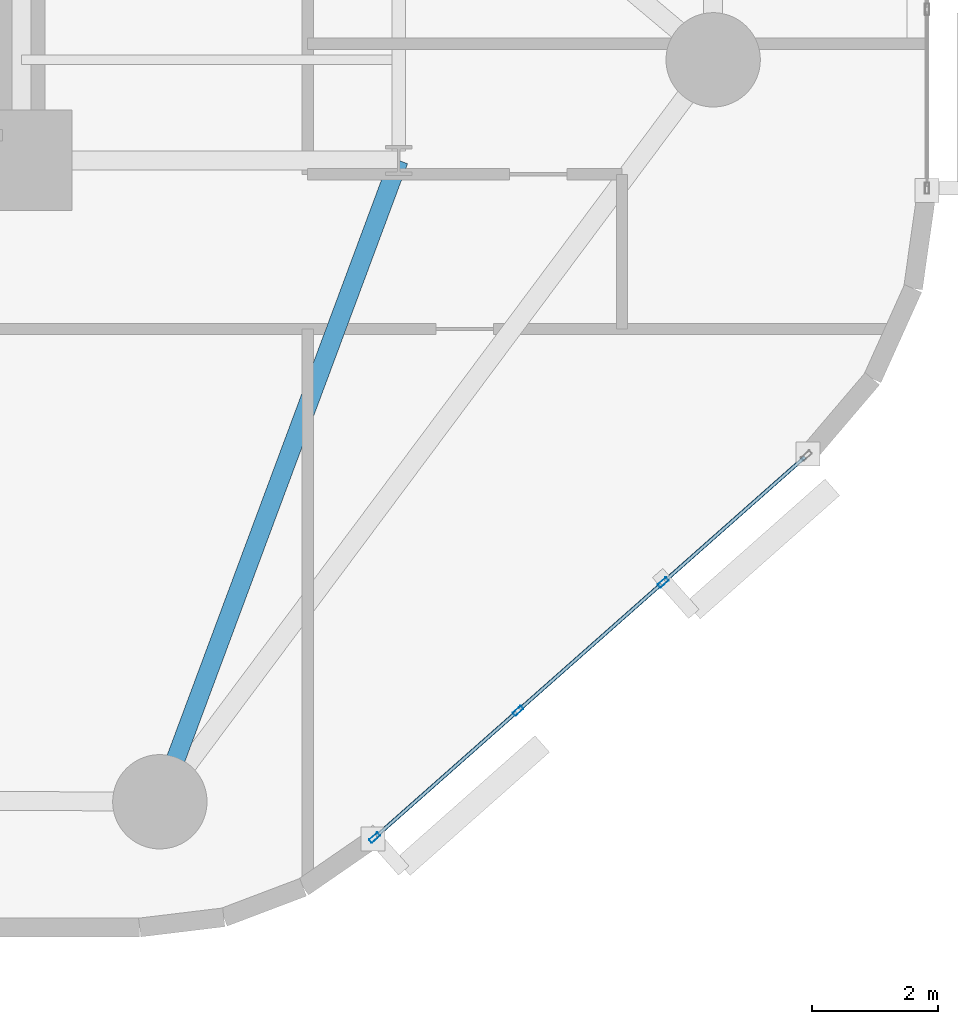
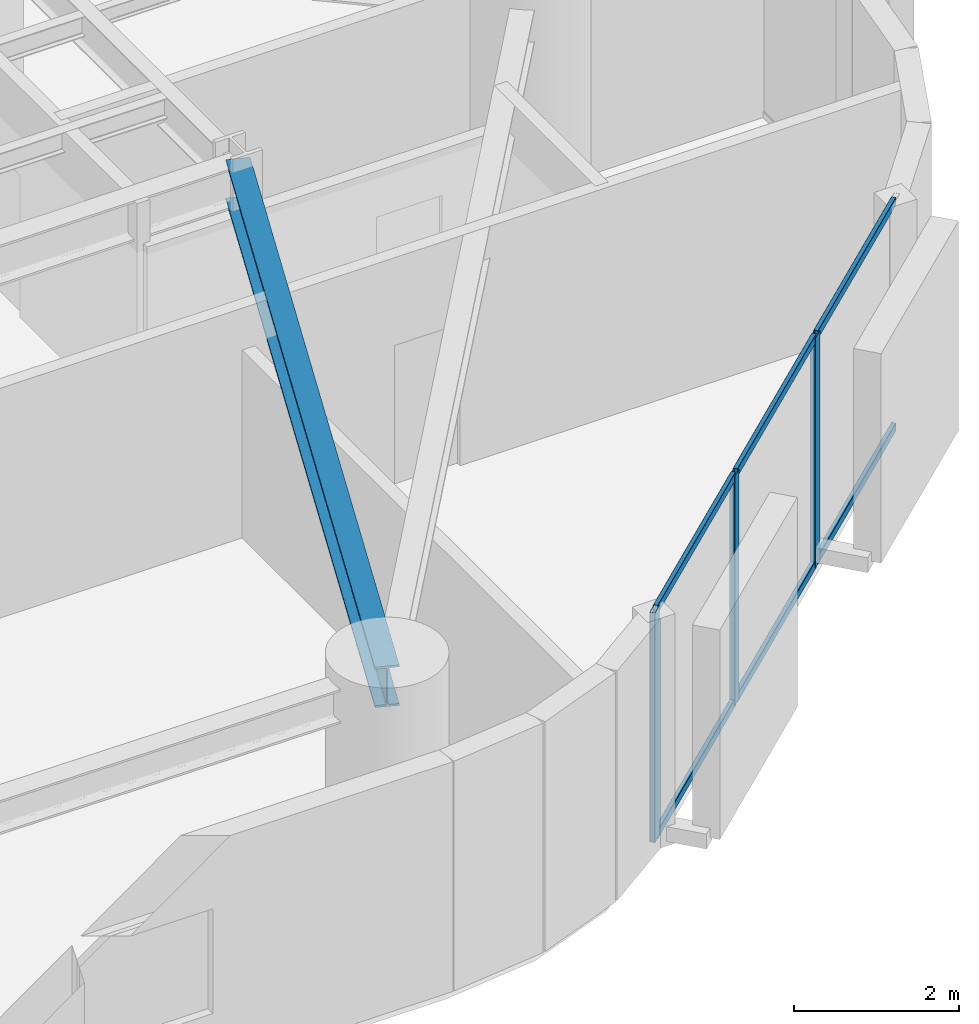
# One storey, part 2 of 16: 9 members, 1 beam, 1 element without a shape of its own.
"""IFC4 building model written with IfcOpenShell, lengths in metres."""

from ifc_helpers import new_model, si_unit, direction, frame, origin, origin_2d, place, context, subcontext, project, spatial, hollow_rectangle, i_section, extrude, material, layer, layer_set, material_profile, profile_set, type_object, element, aggregate, save


model = new_model("IFC4")

# Units and contexts
model_context = context("Model", 3, precision=1e-05, world=origin(), true_north=direction((0.0, 1.0)))
body_context = subcontext(model_context, "Body", "Model", "MODEL_VIEW")
ifc_project = project(units=[si_unit("LENGTHUNIT", "METRE"), si_unit("AREAUNIT", "SQUARE_METRE"), si_unit("VOLUMEUNIT", "CUBIC_METRE"), si_unit("PLANEANGLEUNIT", "RADIAN"), si_unit("MASSUNIT", "GRAM", prefix="KILO")], contexts=[model_context])

# Site, building, storey
site_placement = place(None, origin())
site = spatial("IfcSite", under=ifc_project, at=site_placement, CompositionType="ELEMENT")
building_placement = place(site_placement, origin())
building = spatial("IfcBuilding", under=site, at=building_placement, Name="An Khanh Terracotta Commons", CompositionType="ELEMENT")
storey_placement = place(building_placement, frame((0.0, 0.0, 39.60009765625)))
storey = spatial("IfcBuildingStorey", under=building, at=storey_placement, Name="L10", CompositionType="ELEMENT", Elevation=39.60009765625)

# Beam
ifc_material_1 = material(Name="Steel S355J2", Category="steel")
ifc_material_profile_1 = material_profile(ifc_material_1, i_section(OverallWidth=0.300048828125, OverallDepth=0.60009765625, WebThickness=0.015380859375, FlangeThickness=0.030029296875, FilletRadius=0.027099609375, at=origin_2d()), Name="HEB600")
ifc_profile_set_1 = profile_set([ifc_material_profile_1], Name="Steel S355J2")
beam_type = type_object("IfcBeamType", Name="BM-HEB600", PredefinedType="BEAM", material=ifc_profile_set_1)
beam_placement = place(storey_placement, frame((39.39990234375, 4.199951171875, 3.099853515625), z_axis=(0.349114429862, 0.937080100558, 0.0), x_axis=(-0.937080100558, 0.349114429862, 0.0)))
element("IfcBeam", 1, at=beam_placement, inside=storey, type_object=beam_type, Name="L10 Mega-Column Tie Girder 2", PredefinedType="BEAM", context=body_context, shape_type="SweptSolid", body=[
    extrude(i_section(OverallWidth=0.300048828125, OverallDepth=0.60009765625, WebThickness=0.015380859375, FlangeThickness=0.030029296875, FilletRadius=0.027099609375, at=origin_2d()), origin(), (0.0, 0.0, 1.0), 10.884765625),
])

# Curtain wall, members
ifc_material_2 = material(Name="Anodised Aluminium 6063-T6", Category="aluminium")
ifc_layer = layer(ifc_material_2, 0.199951171875, Name="Anodised Aluminium 6063-T6")
ifc_layer_set = layer_set([ifc_layer], Name="Anodised Aluminium 6063-T6")
curtain_wall_type = type_object("IfcCurtainWallType", Name="CW-SYS-02", PredefinedType="USERDEFINED", material=ifc_layer_set)
curtain_wall_placement = place(storey_placement, origin())
curtain_wall = element("IfcCurtainWall", 2, at=curtain_wall_placement, inside=storey, type_object=curtain_wall_type, Name="L10 CW-02 Unitised Curtain Wall CW-L10-08", ObjectType="UNITISED CURTAIN WALL", PredefinedType="USERDEFINED")
ifc_material_profile_2 = material_profile(ifc_material_2, hollow_rectangle(XDim=0.070068359375, YDim=0.179931640625, WallThickness=0.00390625, InnerFilletRadius=0.00390625, OuterFilletRadius=0.008056640625, at=origin_2d()), Name="RHS180x70x4")
ifc_profile_set_2 = profile_set([ifc_material_profile_2], Name="Anodised Aluminium 6063-T6")
member_type_1 = type_object("IfcMemberType", Name="CWM-RHS180x70x4", PredefinedType="MULLION", material=ifc_profile_set_2)
member_1_placement = place(storey_placement, frame((42.815185546875, 3.629150390625, 0.0), z_axis=(0.0, 0.0, 1.0), x_axis=(-0.662548195415, 0.749019284633, 0.0)))
member_1 = element("IfcMember", 3, at=member_1_placement, type_object=member_type_1, Name="CW-02 mullion 1", PredefinedType="MULLION", context=body_context, shape_type="SweptSolid", body=[
    extrude(hollow_rectangle(XDim=0.070068359375, YDim=0.179931640625, WallThickness=0.00390625, InnerFilletRadius=0.00390625, OuterFilletRadius=0.008056640625, at=origin_2d()), origin(), (0.0, 0.0, 1.0), 3.39990234375),
])
member_2_placement = place(storey_placement, frame((45.095947265625, 5.646728515625, 0.0), z_axis=(0.0, 0.0, 1.0), x_axis=(-0.662548195415, 0.749019284633, 0.0)))
member_2 = element("IfcMember", 4, at=member_2_placement, type_object=member_type_1, Name="CW-02 mullion 2", PredefinedType="MULLION", context=body_context, shape_type="SweptSolid", body=[
    extrude(hollow_rectangle(XDim=0.070068359375, YDim=0.179931640625, WallThickness=0.00390625, InnerFilletRadius=0.00390625, OuterFilletRadius=0.008056640625, at=origin_2d()), origin(), (0.0, 0.0, 1.0), 3.39990234375),
])
member_3_placement = place(storey_placement, frame((47.403076171875, 7.687255859375, 0.0), z_axis=(0.0, 0.0, 1.0), x_axis=(-0.662548195415, 0.749019284633, 0.0)))
member_3 = element("IfcMember", 5, at=member_3_placement, type_object=member_type_1, Name="CW-02 mullion 3", PredefinedType="MULLION", context=body_context, shape_type="SweptSolid", body=[
    extrude(hollow_rectangle(XDim=0.070068359375, YDim=0.179931640625, WallThickness=0.00390625, InnerFilletRadius=0.00390625, OuterFilletRadius=0.008056640625, at=origin_2d()), origin(), (0.0, 0.0, 1.0), 3.39990234375),
])
ifc_material_profile_3 = material_profile(ifc_material_2, hollow_rectangle(XDim=0.06005859375, YDim=0.1201171875, WallThickness=0.003662109375, InnerFilletRadius=0.003662109375, OuterFilletRadius=0.007080078125, at=origin_2d()), Name="RHS120x60x3.6")
ifc_profile_set_3 = profile_set([ifc_material_profile_3], Name="Anodised Aluminium 6063-T6")
member_type_2 = type_object("IfcMemberType", Name="CWT-RHS120x60x3.6", PredefinedType="USERDEFINED", material=ifc_profile_set_3)
member_4_placement = place(storey_placement, frame((42.841552734375, 3.65234375, 0.02978515625), z_axis=(0.74899186341, 0.662579194168, 0.0), x_axis=(-0.662579194168, 0.74899186341, 0.0)))
member_4 = element("IfcMember", 6, at=member_4_placement, type_object=member_type_2, Name="CW-02 transom 1.1", ObjectType="TRANSOM", PredefinedType="USERDEFINED", context=body_context, shape_type="SweptSolid", body=[
    extrude(hollow_rectangle(XDim=0.06005859375, YDim=0.1201171875, WallThickness=0.003662109375, InnerFilletRadius=0.003662109375, OuterFilletRadius=0.007080078125, at=origin_2d()), origin(), (0.0, 0.0, 1.0), 2.97509765625),
])
member_5_placement = place(storey_placement, frame((42.841552734375, 3.65234375, 3.369873046875), z_axis=(0.74899186341, 0.662579194168, 0.0), x_axis=(-0.662579194168, 0.74899186341, 0.0)))
member_5 = element("IfcMember", 7, at=member_5_placement, type_object=member_type_2, Name="CW-02 transom 1.2", ObjectType="TRANSOM", PredefinedType="USERDEFINED", context=body_context, shape_type="SweptSolid", body=[
    extrude(hollow_rectangle(XDim=0.06005859375, YDim=0.1201171875, WallThickness=0.003662109375, InnerFilletRadius=0.003662109375, OuterFilletRadius=0.007080078125, at=origin_2d()), origin(), (0.0, 0.0, 1.0), 2.97509765625),
])
member_6_placement = place(storey_placement, frame((45.122314453125, 5.669921875, 0.02978515625), z_axis=(0.749018237701, 0.662549378984, 0.0), x_axis=(-0.662549378984, 0.749018237701, 0.0)))
member_6 = element("IfcMember", 8, at=member_6_placement, type_object=member_type_2, Name="CW-02 transom 2.1", ObjectType="TRANSOM", PredefinedType="USERDEFINED", context=body_context, shape_type="SweptSolid", body=[
    extrude(hollow_rectangle(XDim=0.06005859375, YDim=0.1201171875, WallThickness=0.003662109375, InnerFilletRadius=0.003662109375, OuterFilletRadius=0.007080078125, at=origin_2d()), origin(), (0.0, 0.0, 1.0), 3.009765625),
])
member_7_placement = place(storey_placement, frame((45.122314453125, 5.669921875, 3.369873046875), z_axis=(0.749018237701, 0.662549378984, 0.0), x_axis=(-0.662549378984, 0.749018237701, 0.0)))
member_7 = element("IfcMember", 9, at=member_7_placement, type_object=member_type_2, Name="CW-02 transom 2.2", ObjectType="TRANSOM", PredefinedType="USERDEFINED", context=body_context, shape_type="SweptSolid", body=[
    extrude(hollow_rectangle(XDim=0.06005859375, YDim=0.1201171875, WallThickness=0.003662109375, InnerFilletRadius=0.003662109375, OuterFilletRadius=0.007080078125, at=origin_2d()), origin(), (0.0, 0.0, 1.0), 3.009765625),
])
member_8_placement = place(storey_placement, frame((47.42919921875, 7.71044921875, 0.02978515625), z_axis=(0.74899186341, 0.662579194168, 0.0), x_axis=(-0.662579194168, 0.74899186341, 0.0)))
member_8 = element("IfcMember", 10, at=member_8_placement, type_object=member_type_2, Name="CW-02 transom 3.1", ObjectType="TRANSOM", PredefinedType="USERDEFINED", context=body_context, shape_type="SweptSolid", body=[
    extrude(hollow_rectangle(XDim=0.06005859375, YDim=0.1201171875, WallThickness=0.003662109375, InnerFilletRadius=0.003662109375, OuterFilletRadius=0.007080078125, at=origin_2d()), origin(), (0.0, 0.0, 1.0), 2.97509765625),
])
member_9_placement = place(storey_placement, frame((47.42919921875, 7.71044921875, 3.369873046875), z_axis=(0.74899186341, 0.662579194168, 0.0), x_axis=(-0.662579194168, 0.74899186341, 0.0)))
member_9 = element("IfcMember", 11, at=member_9_placement, type_object=member_type_2, Name="CW-02 transom 3.2", ObjectType="TRANSOM", PredefinedType="USERDEFINED", context=body_context, shape_type="SweptSolid", body=[
    extrude(hollow_rectangle(XDim=0.06005859375, YDim=0.1201171875, WallThickness=0.003662109375, InnerFilletRadius=0.003662109375, OuterFilletRadius=0.007080078125, at=origin_2d()), origin(), (0.0, 0.0, 1.0), 2.97509765625),
])
aggregate(curtain_wall, [member_1, member_2, member_3, member_4, member_5, member_6, member_7, member_8, member_9])

save(model, "model.ifc")
